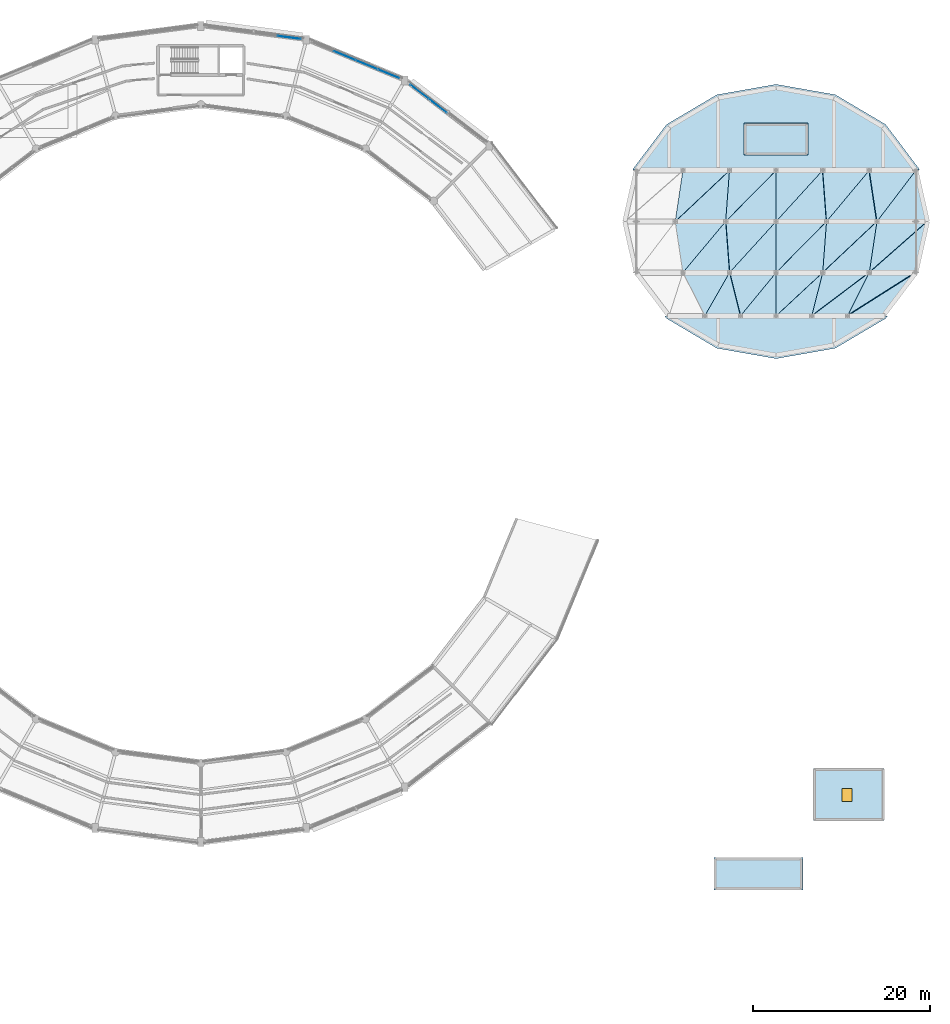
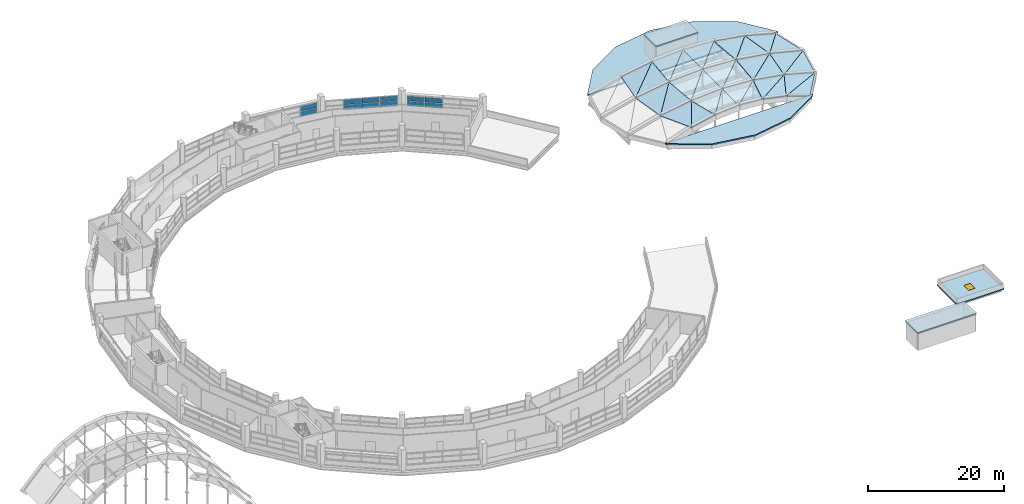
# One storey, part 71 of 88: 35 slabs, 12 plates, 1 door, 1 opening, 4 elements without a shape of their own.
"""IFC4 building model written with IfcOpenShell, lengths in metres."""

from ifc_helpers import new_model, si_unit, direction, frame, origin, origin_2d, place, context, subcontext, project, spatial, polyline, rectangle, outline, extrude, material, layer, layer_set, type_object, element, fill, aggregate, save


model = new_model("IFC4")

# Units and contexts
model_context = context("Model", 3, precision=1e-05, world=origin(), true_north=direction((0.0, 1.0)))
body_context = subcontext(model_context, "Body", "Model", "MODEL_VIEW")
ifc_project = project(units=[si_unit("LENGTHUNIT", "METRE"), si_unit("AREAUNIT", "SQUARE_METRE"), si_unit("VOLUMEUNIT", "CUBIC_METRE"), si_unit("PLANEANGLEUNIT", "RADIAN"), si_unit("MASSUNIT", "GRAM", prefix="KILO")], contexts=[model_context])

# Site, building, storey
site_placement = place(None, origin())
site = spatial("IfcSite", under=ifc_project, at=site_placement, CompositionType="ELEMENT")
building_placement = place(site_placement, origin())
building = spatial("IfcBuilding", under=site, at=building_placement, Name="Vespera Passage Community Centre", CompositionType="ELEMENT")
storey_placement = place(building_placement, frame((0.0, 0.0, 16.5)))
storey = spatial("IfcBuildingStorey", under=building, at=storey_placement, Name="L04", CompositionType="ELEMENT", Elevation=16.5)

# Curtain wall, plates
ifc_material_1 = material(Name="Anodized aluminium 6063-T6", Category="aluminium")
ifc_layer_1 = layer(ifc_material_1, 0.159912109375)
ifc_layer_set_1 = layer_set([ifc_layer_1], Name="Anodized aluminium 6063-T6")
curtain_wall_type_1 = type_object("IfcCurtainWallType", Name="CW-53E", PredefinedType="NOTDEFINED", material=ifc_layer_set_1)
curtain_wall_1_placement = place(storey_placement, origin())
curtain_wall_1 = element("IfcCurtainWall", 1, at=curtain_wall_1_placement, inside=storey, type_object=curtain_wall_type_1, Name="V4 L04 Outer Ribbon Curtain Wall 3", PredefinedType="NOTDEFINED")
ifc_material_2 = material(Name="Low-E insulated vision glass", Category="glass")
ifc_layer_2 = layer(ifc_material_2, 0.02001953125)
ifc_layer_set_2 = layer_set([ifc_layer_2], Name="Low-E insulated vision glass")
plate_type_1 = type_object("IfcPlateType", Name="PL-CWP-20E", PredefinedType="CURTAIN_PANEL", material=ifc_layer_set_2)
plate_1_placement = place(storey_placement, frame((102.66552734375, 104.18408203125, 0.919921875), z_axis=(0.0, 0.0, 1.0), x_axis=(0.793345363065, -0.608771824991, 0.0)))
plate_1 = element("IfcPlate", 2, at=plate_1_placement, type_object=plate_type_1, Name="CW-53E panel 1.1", PredefinedType="CURTAIN_PANEL", context=body_context, shape_type="SweptSolid", body=[
    extrude(rectangle(XDim=2.5673828125, YDim=0.02001953125, at=origin_2d()), origin(), (0.0, 0.0, 1.0), 0.852783203125),
])
plate_2_placement = place(storey_placement, frame((102.66552734375, 104.18408203125, 1.873046875), z_axis=(0.0, 0.0, 1.0), x_axis=(0.793345363065, -0.608771824991, 0.0)))
plate_2 = element("IfcPlate", 3, at=plate_2_placement, type_object=plate_type_1, Name="CW-53E panel 1.2", PredefinedType="CURTAIN_PANEL", context=body_context, shape_type="SweptSolid", body=[
    extrude(rectangle(XDim=2.5673828125, YDim=0.02001953125, at=origin_2d()), origin(), (0.0, 0.0, 1.0), 0.852783203125),
])
plate_3_placement = place(storey_placement, frame((104.766845703125, 102.57177734375, 0.919921875), z_axis=(0.0, 0.0, 1.0), x_axis=(0.793345363065, -0.608771824991, 0.0)))
plate_3 = element("IfcPlate", 4, at=plate_3_placement, type_object=plate_type_1, Name="CW-53E panel 2.1", PredefinedType="CURTAIN_PANEL", context=body_context, shape_type="SweptSolid", body=[
    extrude(rectangle(XDim=2.599853515625, YDim=0.02001953125, at=origin_2d()), origin(), (0.0, 0.0, 1.0), 0.852783203125),
])
plate_4_placement = place(storey_placement, frame((104.766845703125, 102.57177734375, 1.873046875), z_axis=(0.0, 0.0, 1.0), x_axis=(0.793345363065, -0.608771824991, 0.0)))
plate_4 = element("IfcPlate", 5, at=plate_4_placement, type_object=plate_type_1, Name="CW-53E panel 2.2", PredefinedType="CURTAIN_PANEL", context=body_context, shape_type="SweptSolid", body=[
    extrude(rectangle(XDim=2.599853515625, YDim=0.02001953125, at=origin_2d()), origin(), (0.0, 0.0, 1.0), 0.852783203125),
])
aggregate(curtain_wall_1, [plate_1, plate_2, plate_3, plate_4])

ifc_material_3 = material(Name="Anodized aluminium 6063-T6", Category="aluminium")
ifc_layer_3 = layer(ifc_material_3, 0.159912109375)
ifc_layer_set_3 = layer_set([ifc_layer_3], Name="Anodized aluminium 6063-T6")
curtain_wall_type_2 = type_object("IfcCurtainWallType", Name="CW-55E", PredefinedType="NOTDEFINED", material=ifc_layer_set_3)
curtain_wall_2_placement = place(storey_placement, origin())
curtain_wall_2 = element("IfcCurtainWall", 6, at=curtain_wall_2_placement, inside=storey, type_object=curtain_wall_type_2, Name="V4 L04 Outer Ribbon Curtain Wall 4", PredefinedType="NOTDEFINED")
ifc_material_4 = material(Name="Low-E insulated vision glass", Category="glass")
ifc_layer_4 = layer(ifc_material_4, 0.028076171875)
ifc_layer_set_4 = layer_set([ifc_layer_4], Name="Low-E insulated vision glass")
plate_type_2 = type_object("IfcPlateType", Name="PL-CWP-28E", PredefinedType="CURTAIN_PANEL", material=ifc_layer_set_4)
plate_5_placement = place(storey_placement, frame((94.244384765625, 108.24267578125, 0.8798828125), z_axis=(0.0, 0.0, 1.0), x_axis=(0.923879738007, -0.382682936255, 0.0)))
plate_5 = element("IfcPlate", 7, at=plate_5_placement, type_object=plate_type_2, Name="CW-55E panel 2.1", PredefinedType="CURTAIN_PANEL", context=body_context, shape_type="SweptSolid", body=[
    extrude(rectangle(XDim=2.623291015625, YDim=0.028076171875, at=origin_2d()), origin(), (0.0, 0.0, 1.0), 0.912841796875),
])
plate_6_placement = place(storey_placement, frame((94.244384765625, 108.24267578125, 1.8525390625), z_axis=(0.0, 0.0, 1.0), x_axis=(0.923879738007, -0.382682936255, 0.0)))
plate_6 = element("IfcPlate", 8, at=plate_6_placement, type_object=plate_type_2, Name="CW-55E panel 2.2", PredefinedType="CURTAIN_PANEL", context=body_context, shape_type="SweptSolid", body=[
    extrude(rectangle(XDim=2.623291015625, YDim=0.028076171875, at=origin_2d()), origin(), (0.0, 0.0, 1.0), 0.912841796875),
])
plate_7_placement = place(storey_placement, frame((96.7373046875, 107.210205078125, 0.8798828125), z_axis=(0.0, 0.0, 1.0), x_axis=(0.923879738007, -0.382682936255, 0.0)))
plate_7 = element("IfcPlate", 9, at=plate_7_placement, type_object=plate_type_2, Name="CW-55E panel 3.1", PredefinedType="CURTAIN_PANEL", context=body_context, shape_type="SweptSolid", body=[
    extrude(rectangle(XDim=2.623291015625, YDim=0.028076171875, at=origin_2d()), origin(), (0.0, 0.0, 1.0), 0.912841796875),
])
plate_8_placement = place(storey_placement, frame((96.7373046875, 107.210205078125, 1.8525390625), z_axis=(0.0, 0.0, 1.0), x_axis=(0.923879738007, -0.382682936255, 0.0)))
plate_8 = element("IfcPlate", 10, at=plate_8_placement, type_object=plate_type_2, Name="CW-55E panel 3.2", PredefinedType="CURTAIN_PANEL", context=body_context, shape_type="SweptSolid", body=[
    extrude(rectangle(XDim=2.623291015625, YDim=0.028076171875, at=origin_2d()), origin(), (0.0, 0.0, 1.0), 0.912841796875),
])
plate_9_placement = place(storey_placement, frame((99.212646484375, 106.184814453125, 0.8798828125), z_axis=(0.0, 0.0, 1.0), x_axis=(0.923879738007, -0.382682936255, 0.0)))
plate_9 = element("IfcPlate", 11, at=plate_9_placement, type_object=plate_type_2, Name="CW-55E panel 4.1", PredefinedType="CURTAIN_PANEL", context=body_context, shape_type="SweptSolid", body=[
    extrude(rectangle(XDim=2.585693359375, YDim=0.028076171875, at=origin_2d()), origin(), (0.0, 0.0, 1.0), 0.912841796875),
])
plate_10_placement = place(storey_placement, frame((99.212646484375, 106.184814453125, 1.8525390625), z_axis=(0.0, 0.0, 1.0), x_axis=(0.923879738007, -0.382682936255, 0.0)))
plate_10 = element("IfcPlate", 12, at=plate_10_placement, type_object=plate_type_2, Name="CW-55E panel 4.2", PredefinedType="CURTAIN_PANEL", context=body_context, shape_type="SweptSolid", body=[
    extrude(rectangle(XDim=2.585693359375, YDim=0.028076171875, at=origin_2d()), origin(), (0.0, 0.0, 1.0), 0.912841796875),
])
aggregate(curtain_wall_2, [plate_5, plate_6, plate_7, plate_8, plate_9, plate_10])

ifc_material_5 = material(Name="Anodized aluminium 6063-T6", Category="aluminium")
ifc_layer_5 = layer(ifc_material_5, 0.159912109375)
ifc_layer_set_5 = layer_set([ifc_layer_5], Name="Anodized aluminium 6063-T6")
curtain_wall_type_3 = type_object("IfcCurtainWallType", Name="CW-57E", PredefinedType="NOTDEFINED", material=ifc_layer_set_5)
curtain_wall_3_placement = place(storey_placement, origin())
curtain_wall_3 = element("IfcCurtainWall", 13, at=curtain_wall_3_placement, inside=storey, type_object=curtain_wall_type_3, Name="V4 L04 Outer Ribbon Curtain Wall 5", PredefinedType="NOTDEFINED")
ifc_material_6 = material(Name="Acoustic triple-glazed vision glass", Category="glass")
ifc_layer_6 = layer(ifc_material_6, 0.035888671875)
ifc_layer_set_6 = layer_set([ifc_layer_6], Name="Acoustic triple-glazed vision glass")
plate_type_3 = type_object("IfcPlateType", Name="PL-CWP-36E", PredefinedType="CURTAIN_PANEL", material=ifc_layer_set_6)
plate_11_placement = place(storey_placement, frame((87.98046875, 110.2861328125, 0.919921875), z_axis=(0.0, 0.0, 1.0), x_axis=(0.991444252276, -0.130530818696, 0.0)))
plate_11 = element("IfcPlate", 14, at=plate_11_placement, type_object=plate_type_3, Name="CW-57E panel 4.1", PredefinedType="CURTAIN_PANEL", context=body_context, shape_type="SweptSolid", body=[
    extrude(rectangle(XDim=2.599609375, YDim=0.035888671875, at=origin_2d()), origin(), (0.0, 0.0, 1.0), 0.852783203125),
])
plate_12_placement = place(storey_placement, frame((87.98046875, 110.2861328125, 1.873046875), z_axis=(0.0, 0.0, 1.0), x_axis=(0.991444252276, -0.130530818696, 0.0)))
plate_12 = element("IfcPlate", 15, at=plate_12_placement, type_object=plate_type_3, Name="CW-57E panel 4.2", PredefinedType="CURTAIN_PANEL", context=body_context, shape_type="SweptSolid", body=[
    extrude(rectangle(XDim=2.599609375, YDim=0.035888671875, at=origin_2d()), origin(), (0.0, 0.0, 1.0), 0.852783203125),
])
aggregate(curtain_wall_3, [plate_11, plate_12])

# Roof, slabs
ifc_material_7 = material(Name="Concrete f'c 35 MPa", Category="concrete")
roof_type = type_object("IfcRoofType", Name="RF-FLAT-V2", PredefinedType="FLAT_ROOF", material=ifc_material_7)
roof_placement = place(storey_placement, origin())
roof = element("IfcRoof", 16, at=roof_placement, inside=storey, type_object=roof_type, Name="Sports Hall Cambered Acoustic Roof V2", PredefinedType="BARREL_ROOF")
ifc_material_8 = material(Name="Concrete f'c 35 MPa", Category="concrete")
ifc_layer_7 = layer(ifc_material_8, 0.219970703125)
ifc_layer_set_7 = layer_set([ifc_layer_7], Name="Concrete f'c 35 MPa")
slab_type_1 = type_object("IfcSlabType", Name="SL-ROOF-220E", PredefinedType="ROOF", material=ifc_layer_set_7)
slab_1_placement = place(storey_placement, frame((0.0, 0.0, -0.219970703125)))
slab_1 = element("IfcSlab", 17, at=slab_1_placement, inside=storey, type_object=slab_type_1, Name="V2 L04 S Eave Roof Slab", PredefinedType="ROOF", context=body_context, shape_type="SweptSolid", body=[
    extrude(outline(polyline([(155.37451171875, 78.539794921875), (149.697021484375, 75.179931640625), (143.0, 74.0), (136.302978515625, 75.179931640625), (130.62548828125, 78.539794921875), (130.42724609375, 78.802734375), (155.57275390625, 78.802734375), (155.37451171875, 78.539794921875)])), origin(), (0.0, 0.0, 1.0), 0.219970703125),
])
slab_2_placement = place(storey_placement, frame((0.0, 0.0, -0.219970703125)))
slab_2 = element("IfcSlab", 18, at=slab_2_placement, inside=storey, type_object=slab_type_1, Name="V2 L04 N Eave Roof Slab", PredefinedType="ROOF", context=body_context, shape_type="SweptSolid", body=[
    extrude(outline(polyline([(126.83203125, 95.431640625), (130.62548828125, 100.460205078125), (136.302978515625, 103.820068359375), (143.0, 105.0), (149.697021484375, 103.820068359375), (155.37451171875, 100.460205078125), (159.16796875, 95.431640625), (159.19775390625, 95.298583984375), (126.80224609375, 95.298583984375), (126.83203125, 95.431640625)])), origin(), (0.0, 0.0, 1.0), 0.219970703125),
])

# Slab, opening, door
slab_3_placement = place(storey_placement, frame((0.0, 0.0, -0.449951171875)))
slab_3 = element("IfcSlab", 19, at=slab_3_placement, inside=storey, type_object=slab_type_1, Name="Roof Garden Conservatory Roof Slab", PredefinedType="ROOF", context=body_context, shape_type="SweptSolid", body=[
    extrude(outline(polyline([(147.199951171875, 21.800048828125), (155.199951171875, 21.800048828125), (155.199951171875, 27.699951171875), (147.199951171875, 27.699951171875), (147.199951171875, 21.800048828125)])), origin(), (0.0, 0.0, 1.0), 0.219970703125),
])
opening_placement = place(slab_3_placement, frame((151.0, 24.699951171875, 0.0)))
opening = element("IfcOpeningElement", 20, at=opening_placement, cuts=slab_3, Name="Opening DT-HT02", PredefinedType="OPENING", context=body_context, shape_type="SweptSolid", body=[
    extrude(rectangle(XDim=1.10009765625, YDim=1.449951171875, at=origin_2d()), frame((0.0, 0.0, -0.010009765625)), (0.0, 0.0, 1.0), 0.239990234375),
])
ifc_material_9 = material(Name="Anodized aluminium 6063-T6", Category="aluminium")
door_type = type_object("IfcDoorType", Name="DT-HT02", OperationType="NOTDEFINED", PredefinedType="TRAPDOOR", material=ifc_material_9)
door_placement = place(opening_placement, frame((0.0, 0.0, 0.169921875)))
door = element("IfcDoor", 21, at=door_placement, inside=storey, type_object=door_type, Name="Roof Access Hatch HT-047", OperationType="SINGLE_SWING_LEFT", OverallHeight=1.449951171875, OverallWidth=1.10009765625, PredefinedType="TRAPDOOR", context=body_context, shape_type="SweptSolid", body=[
    extrude(rectangle(XDim=1.10009765625, YDim=1.449951171875, at=origin_2d()), origin(), (0.0, 0.0, 1.0), 0.050048828125),
])
fill(opening, door)

# Slabs
slab_4_placement = place(storey_placement, frame((0.0, 0.0, 3.050048828125)))
element("IfcSlab", 22, at=slab_4_placement, inside=storey, type_object=slab_type_1, Name="Core C6 Overrun Roof Cap Slab", PredefinedType="ROOF", context=body_context, shape_type="SweptSolid", body=[
    extrude(outline(polyline([(139.375, 97.0), (146.625, 97.0), (146.625, 100.60009765625), (139.375, 100.60009765625), (139.375, 97.0)])), origin(), (0.0, 0.0, 1.0), 0.219970703125),
])
slab_5_placement = place(storey_placement, frame((0.0, 0.0, 3.050048828125)))
element("IfcSlab", 23, at=slab_5_placement, inside=storey, type_object=slab_type_1, Name="Core C7 Overrun Roof Cap Slab", PredefinedType="ROOF", context=body_context, shape_type="SweptSolid", body=[
    extrude(outline(polyline([(146.034912109375, 17.639892578125), (135.965087890625, 17.639892578125), (135.965087890625, 13.9599609375), (146.034912109375, 13.9599609375), (146.034912109375, 17.639892578125)])), origin(), (0.0, 0.0, 1.0), 0.219970703125),
])

# Slab
ifc_material_10 = material(Name="Concrete f'c 35 MPa", Category="concrete")
ifc_layer_8 = layer(ifc_material_10, 0.199951171875)
ifc_layer_set_8 = layer_set([ifc_layer_8], Name="Concrete f'c 35 MPa")
slab_type_2 = type_object("IfcSlabType", Name="SL-SROOF-200E", PredefinedType="ROOF", material=ifc_layer_set_8)
slab_6_placement = place(storey_placement, frame((134.93896484375, 78.82275390625, 1.244384765625), z_axis=(-0.209933755501, -0.052951643987, 0.976280667483), x_axis=(0.977652237703, 0.0, 0.210228690038)))
slab_6 = element("IfcSlab", 24, at=slab_6_placement, inside=storey, type_object=slab_type_2, Name="V2 L04 Sports Hall Arched Roof Facet 1.2A", PredefinedType="ROOF", context=body_context, shape_type="SweptSolid", body=[
    extrude(outline(polyline([(0.0, 0.0), (4.122649570768352, 6.938893903907228e-18), (2.914666666712581, 4.905563765897493), (0.0, 0.0)])), origin(), (0.0, 0.0, -1.0), 0.199951171875),
])

slab_7_placement = place(storey_placement, frame((134.93896484375, 78.82275390625, 1.244384765625), z_axis=(-0.16185353507, -0.081648715773, 0.983431197592), x_axis=(0.489811026342, 0.858495653699, 0.151889338183)))
slab_7 = element("IfcSlab", 25, at=slab_7_placement, inside=storey, type_object=slab_type_2, Name="V2 L04 Sports Hall Arched Roof Facet 1.2B", PredefinedType="ROOF", context=body_context, shape_type="SweptSolid", body=[
    extrude(outline(polyline([(0.0, 0.0), (5.70612282021092, 4.3021142204224816e-16), (2.9950800983503165, 4.597103869501554), (0.0, 0.0)])), origin(), (0.0, 0.0, -1.0), 0.199951171875),
])

slab_8_placement = place(storey_placement, frame((138.969482421875, 78.82275390625, 2.111083984375), z_axis=(-0.071474612755, 0.0, 0.997442419256), x_axis=(0.997442419256, 0.0, 0.071474612755)))
slab_8 = element("IfcSlab", 26, at=slab_8_placement, inside=storey, type_object=slab_type_2, Name="V2 L04 Sports Hall Arched Roof Facet 1.3A", PredefinedType="ROOF", context=body_context, shape_type="SweptSolid", body=[
    extrude(outline(polyline([(0.0, 0.0), (4.040852384372223, 0.0), (4.040852384372223, 4.898681640625), (0.0, 0.0)])), origin(), (0.0, 0.0, -1.0), 0.199951171875),
])

slab_9_placement = place(storey_placement, frame((138.969482421875, 78.82275390625, 2.111083984375), z_axis=(-0.054757169188, -0.013811414566, 0.998404175297), x_axis=(0.634703017702, 0.771416563704, 0.045481474949)))
slab_9 = element("IfcSlab", 27, at=slab_9_placement, inside=storey, type_object=slab_type_2, Name="V2 L04 Sports Hall Arched Roof Facet 1.3B", PredefinedType="ROOF", context=body_context, shape_type="SweptSolid", body=[
    extrude(outline(polyline([(0.0, 0.0), (6.350241712603005, -1.0581813203458523e-16), (2.9946878364572096, 4.068860199116289), (0.0, 0.0)])), origin(), (0.0, 0.0, -1.0), 0.199951171875),
])

slab_10_placement = place(storey_placement, frame((143.0, 78.82275390625, 2.39990234375), z_axis=(0.071463000571, -0.01802513062, 0.997280368911), x_axis=(0.997442419256, 0.0, -0.071474612755)))
slab_10 = element("IfcSlab", 28, at=slab_10_placement, inside=storey, type_object=slab_type_2, Name="V2 L04 Sports Hall Arched Roof Facet 1.4A", PredefinedType="ROOF", context=body_context, shape_type="SweptSolid", body=[
    extrude(outline(polyline([(0.0, 0.0), (4.040852384372223, 8.673617379884035e-19), (5.273287951719662, 4.89947763849519), (0.0, 0.0)])), origin(), (0.0, 0.0, -1.0), 0.199951171875),
])

slab_11_placement = place(storey_placement, frame((143.0, 78.82275390625, 2.39990234375), z_axis=(0.054762392542, 0.0, 0.998499414303), x_axis=(0.731599071312, 0.680553331751, -0.040124325515)))
slab_11 = element("IfcSlab", 29, at=slab_11_placement, inside=storey, type_object=slab_type_2, Name="V2 L04 Sports Hall Arched Roof Facet 1.4B", PredefinedType="ROOF", context=body_context, shape_type="SweptSolid", body=[
    extrude(outline(polyline([(0.0, 0.0), (7.1980863395673556, -4.839878497975292e-16), (3.333814111715532, 3.589256926541039), (0.0, 0.0)])), origin(), (0.0, 0.0, -1.0), 0.199951171875),
])

slab_12_placement = place(storey_placement, frame((147.030517578125, 78.82275390625, 2.111083984375), z_axis=(0.209056344462, -0.105460668759, 0.972200335417), x_axis=(0.977652237703, 0.0, -0.210228690038)))
slab_12 = element("IfcSlab", 30, at=slab_12_placement, inside=storey, type_object=slab_type_2, Name="V2 L04 Sports Hall Arched Roof Facet 1.5A", PredefinedType="ROOF", context=body_context, shape_type="SweptSolid", body=[
    extrude(outline(polyline([(0.0, 0.0), (4.122649570768352, 0.0), (6.538615378879894, 4.926152453645363), (0.0, 0.0)])), origin(), (0.0, 0.0, -1.0), 0.199951171875),
])

slab_13_placement = place(storey_placement, frame((147.030517578125, 78.82275390625, 2.111083984375), z_axis=(0.162259683224, -0.040926800737, 0.985898976661), x_axis=(0.794188867527, 0.598377816339, -0.105867991428)))
slab_13 = element("IfcSlab", 31, at=slab_13_placement, inside=storey, type_object=slab_type_2, Name="V2 L04 Sports Hall Arched Roof Facet 1.5B", PredefinedType="ROOF", context=body_context, shape_type="SweptSolid", body=[
    extrude(outline(polyline([(0.0, 0.0), (8.18660302381158, -4.718447854656915e-16), (3.9125587752447744, 3.196194985921935), (0.0, 0.0)])), origin(), (0.0, 0.0, -1.0), 0.199951171875),
])

slab_14_placement = place(storey_placement, frame((151.06103515625, 78.82275390625, 1.244384765625), z_axis=(0.32686283753, -0.247334087327, 0.912132958887), x_axis=(0.941381435072, 0.0, -0.337344028705)))
slab_14 = element("IfcSlab", 32, at=slab_14_placement, inside=storey, type_object=slab_type_2, Name="V2 L04 Sports Hall Arched Roof Facet 1.6A", PredefinedType="ROOF", context=body_context, shape_type="SweptSolid", body=[
    extrude(outline(polyline([(0.0, 0.0), (4.2814925257354615, -5.551115123125783e-17), (7.770993094263653, 5.055762877416872), (0.0, 0.0)])), origin(), (0.0, 0.0, -1.0), 0.199951171875),
])

slab_15_placement = place(storey_placement, frame((151.06103515625, 78.82275390625, 1.244384765625), z_axis=(0.262178174801, -0.132258534031, 0.955913324959), x_axis=(0.8345821724, 0.528394903736, -0.155792885647)))
slab_15 = element("IfcSlab", 33, at=slab_15_placement, inside=storey, type_object=slab_type_2, Name="V2 L04 Sports Hall Arched Roof Facet 1.6B", PredefinedType="ROOF", context=body_context, shape_type="SweptSolid", body=[
    extrude(outline(polyline([(0.0, 0.0), (9.270872232091213, -5.551115123125783e-17), (4.650850706175504, 2.910920213847697), (0.0, 0.0)])), origin(), (0.0, 0.0, -1.0), 0.199951171875),
])

slab_16_placement = place(storey_placement, frame((132.4677734375, 83.721435546875, 1.244384765625), z_axis=(-0.162383678206, -0.012191296471, 0.986652377154), x_axis=(0.986725707269, 0.0, 0.162395746908)))
slab_16 = element("IfcSlab", 34, at=slab_16_placement, inside=storey, type_object=slab_type_2, Name="V2 L04 Sports Hall Arched Roof Facet 2.2A", PredefinedType="ROOF", context=body_context, shape_type="SweptSolid", body=[
    extrude(outline(polyline([(0.0, 0.0), (5.336957618975394, 1.734723475976807e-18), (4.908878619508201, 5.778993928399384), (0.0, 0.0)])), origin(), (0.0, 0.0, -1.0), 0.199951171875),
])

slab_17_placement = place(storey_placement, frame((132.4677734375, 83.721435546875, 1.244384765625), z_axis=(-0.15028765179, -0.02256632365, 0.988384734178), x_axis=(0.637295633188, 0.762095202441, 0.114303011055)))
slab_17 = element("IfcSlab", 35, at=slab_17_placement, inside=storey, type_object=slab_type_2, Name="V2 L04 Sports Hall Arched Roof Facet 2.2B", PredefinedType="ROOF", context=body_context, shape_type="SweptSolid", body=[
    extrude(outline(polyline([(0.0, 0.0), (7.5824705819107345, -2.636779683484747e-16), (3.8508502603100365, 4.394954001233432), (0.0, 0.0)])), origin(), (0.0, 0.0, -1.0), 0.199951171875),
])

slab_18_placement = place(storey_placement, frame((137.73388671875, 83.721435546875, 2.111083984375), z_axis=(-0.054762392542, 0.0, 0.998499414303), x_axis=(0.998499414303, 0.0, 0.054762392542)))
slab_18 = element("IfcSlab", 36, at=slab_18_placement, inside=storey, type_object=slab_type_2, Name="V2 L04 Sports Hall Arched Roof Facet 2.3A", PredefinedType="ROOF", context=body_context, shape_type="SweptSolid", body=[
    extrude(outline(polyline([(0.0, 0.0), (5.274027411349861, 0.0), (5.274027411349861, 5.778564453125), (0.0, 0.0)])), origin(), (0.0, 0.0, -1.0), 0.199951171875),
])

slab_19_placement = place(storey_placement, frame((137.73388671875, 83.721435546875, 2.111083984375), z_axis=(-0.050605033867, -0.003799279445, 0.998711517918), x_axis=(0.673114644317, 0.738616157457, 0.036916765147)))
slab_19 = element("IfcSlab", 37, at=slab_19_placement, inside=storey, type_object=slab_type_2, Name="V2 L04 Sports Hall Arched Roof Facet 2.3B", PredefinedType="ROOF", context=body_context, shape_type="SweptSolid", body=[
    extrude(outline(polyline([(0.0, 0.0), (7.8235012797717065, 1.0755285551056204e-15), (3.9761184345454277, 4.21550763831947), (0.0, 0.0)])), origin(), (0.0, 0.0, -1.0), 0.199951171875),
])

slab_20_placement = place(storey_placement, frame((143.0, 83.721435546875, 2.39990234375), z_axis=(0.054761929706, -0.004111367151, 0.99849097528), x_axis=(0.998499414303, 0.0, -0.054762392542)))
slab_20 = element("IfcSlab", 38, at=slab_20_placement, inside=storey, type_object=slab_type_2, Name="V2 L04 Sports Hall Arched Roof Facet 2.4A", PredefinedType="ROOF", context=body_context, shape_type="SweptSolid", body=[
    extrude(outline(polyline([(0.0, 0.0), (5.274027411349861, 0.0), (5.707214291041306, 5.7786132922635485), (0.0, 0.0)])), origin(), (0.0, 0.0, -1.0), 0.199951171875),
])

slab_21_placement = place(storey_placement, frame((143.0, 83.721435546875, 2.39990234375), z_axis=(0.050605399101, 0.0, 0.998718725959), x_axis=(0.701803370507, 0.711482587765, -0.035560602532)))
slab_21 = element("IfcSlab", 39, at=slab_21_placement, inside=storey, type_object=slab_type_2, Name="V2 L04 Sports Hall Arched Roof Facet 2.4B", PredefinedType="ROOF", context=body_context, shape_type="SweptSolid", body=[
    extrude(outline(polyline([(0.0, 0.0), (8.121863489704262, -3.7990444123892075e-16), (4.111347990673471, 4.060618775322925), (0.0, 0.0)])), origin(), (0.0, 0.0, -1.0), 0.199951171875),
])

slab_22_placement = place(storey_placement, frame((148.26611328125, 83.721435546875, 2.111083984375), z_axis=(0.162347488236, -0.024377158866, 0.986432484861), x_axis=(0.986725707269, 0.0, -0.162395746908)))
slab_22 = element("IfcSlab", 40, at=slab_22_placement, inside=storey, type_object=slab_type_2, Name="V2 L04 Sports Hall Arched Roof Facet 2.5A", PredefinedType="ROOF", context=body_context, shape_type="SweptSolid", body=[
    extrude(outline(polyline([(0.0, 0.0), (5.336957618975394, 3.469446951953614e-18), (6.193115617909779, 5.780282162762326), (0.0, 0.0)])), origin(), (0.0, 0.0, -1.0), 0.199951171875),
])

slab_23_placement = place(storey_placement, frame((148.26611328125, 83.721435546875, 2.111083984375), z_axis=(0.150316359636, -0.011285317127, 0.988573534768), x_axis=(0.724049784698, 0.682118068541, -0.102307623614)))
slab_23 = element("IfcSlab", 41, at=slab_23_placement, inside=storey, type_object=slab_type_2, Name="V2 L04 Sports Hall Arched Roof Facet 2.5B", PredefinedType="ROOF", context=body_context, shape_type="SweptSolid", body=[
    extrude(outline(polyline([(0.0, 0.0), (8.471501811246123, 4.0245584642661925e-16), (4.255783455003511, 3.932979740397877), (0.0, 0.0)])), origin(), (0.0, 0.0, -1.0), 0.199951171875),
])

slab_24_placement = place(storey_placement, frame((153.5322265625, 83.721435546875, 1.244384765625), z_axis=(0.264033458264, -0.059479758311, 0.962677771255), x_axis=(0.964385203819, 0.0, -0.264501755484)))
slab_24 = element("IfcSlab", 42, at=slab_24_placement, inside=storey, type_object=slab_type_2, Name="V2 L04 Sports Hall Arched Roof Facet 2.6A", PredefinedType="ROOF", context=body_context, shape_type="SweptSolid", body=[
    extrude(outline(polyline([(0.0, 0.0), (5.460591121051973, 0.0), (6.715987094383255, 5.7888134787249985), (0.0, 0.0)])), origin(), (0.0, 0.0, -1.0), 0.199951171875),
])

slab_25_placement = place(storey_placement, frame((153.5322265625, 83.721435546875, 1.244384765625), z_axis=(0.245454515306, -0.036856028873, 0.968707238567), x_axis=(0.740751162151, 0.65172995528, -0.162898069857)))
slab_25 = element("IfcSlab", 43, at=slab_25_placement, inside=storey, type_object=slab_type_2, Name="V2 L04 Sports Hall Arched Roof Facet 2.6B", PredefinedType="ROOF", context=body_context, shape_type="SweptSolid", body=[
    extrude(outline(polyline([(0.0, 0.0), (8.86650123461282, 0.0), (4.408795395949173, 3.834995639755671), (0.0, 0.0)])), origin(), (0.0, 0.0, -1.0), 0.199951171875),
])

slab_26_placement = place(storey_placement, frame((131.60009765625, 89.5, 1.244384765625), z_axis=(-0.150316359636, 0.011285317127, 0.988573534768), x_axis=(0.988636492345, 0.0, 0.150325932575)))
slab_26 = element("IfcSlab", 44, at=slab_26_placement, inside=storey, type_object=slab_type_2, Name="V2 L04 Sports Hall Arched Roof Facet 3.2A", PredefinedType="ROOF", context=body_context, shape_type="SweptSolid", body=[
    extrude(outline(polyline([(0.0, 0.0), (5.765467101418674, -1.734723475976807e-18), (6.194375071852374, 5.77893246258859), (0.0, 0.0)])), origin(), (0.0, 0.0, -1.0), 0.199951171875),
])

slab_27_placement = place(storey_placement, frame((131.60009765625, 89.5, 1.244384765625), z_axis=(-0.162347488236, 0.024377158866, 0.986432484861), x_axis=(0.724049784698, 0.682118068541, 0.102307623614)))
slab_27 = element("IfcSlab", 45, at=slab_27_placement, inside=storey, type_object=slab_type_2, Name="V2 L04 Sports Hall Arched Roof Facet 3.2B", PredefinedType="ROOF", context=body_context, shape_type="SweptSolid", body=[
    extrude(outline(polyline([(0.0, 0.0), (8.471501811246123, 3.3306690738754696e-16), (4.569903686304302, 3.6415173620607644), (0.0, 0.0)])), origin(), (0.0, 0.0, -1.0), 0.199951171875),
])

slab_28_placement = place(storey_placement, frame((137.300048828125, 89.5, 2.111083984375), z_axis=(-0.050605399101, 0.0, 0.998718725959), x_axis=(0.998718725959, 0.0, 0.050605399101)))
slab_28 = element("IfcSlab", 46, at=slab_28_placement, inside=storey, type_object=slab_type_2, Name="V2 L04 Sports Hall Arched Roof Facet 3.3A", PredefinedType="ROOF", context=body_context, shape_type="SweptSolid", body=[
    extrude(outline(polyline([(0.0, 0.0), (5.707263740749262, 0.0), (5.707263740749262, 5.778564453125), (0.0, 0.0)])), origin(), (0.0, 0.0, -1.0), 0.199951171875),
])

slab_29_placement = place(storey_placement, frame((137.300048828125, 89.5, 2.111083984375), z_axis=(-0.054761929706, 0.004111367151, 0.99849097528), x_axis=(0.701803370507, 0.711482587765, 0.035560602532)))
slab_29 = element("IfcSlab", 47, at=slab_29_placement, inside=storey, type_object=slab_type_2, Name="V2 L04 Sports Hall Arched Roof Facet 3.3B", PredefinedType="ROOF", context=body_context, shape_type="SweptSolid", body=[
    extrude(outline(polyline([(0.0, 0.0), (8.121863489704262, -4.0939474033052647e-16), (4.415816884567893, 3.7524103848362453), (0.0, 0.0)])), origin(), (0.0, 0.0, -1.0), 0.199951171875),
])

slab_30_placement = place(storey_placement, frame((143.0, 89.5, 2.39990234375), z_axis=(0.050605033867, 0.003799279445, 0.998711517918), x_axis=(0.998718725959, 0.0, -0.050605399101)))
slab_30 = element("IfcSlab", 48, at=slab_30_placement, inside=storey, type_object=slab_type_2, Name="V2 L04 Sports Hall Arched Roof Facet 3.4A", PredefinedType="ROOF", context=body_context, shape_type="SweptSolid", body=[
    extrude(outline(polyline([(0.0, 0.0), (5.707263740749262, 0.0), (5.273981715351377, 5.778606158991014), (0.0, 0.0)])), origin(), (0.0, 0.0, -1.0), 0.199951171875),
])

slab_31_placement = place(storey_placement, frame((143.0, 89.5, 2.39990234375), z_axis=(0.054762392542, 0.0, 0.998499414303), x_axis=(0.673114644317, 0.738616157457, -0.036916765147)))
slab_31 = element("IfcSlab", 49, at=slab_31_placement, inside=storey, type_object=slab_type_2, Name="V2 L04 Sports Hall Arched Roof Facet 3.4B", PredefinedType="ROOF", context=body_context, shape_type="SweptSolid", body=[
    extrude(outline(polyline([(0.0, 0.0), (7.8235012797717065, 1.8388068845354155e-16), (4.268141071984871, 3.8954818608941895), (0.0, 0.0)])), origin(), (0.0, 0.0, -1.0), 0.199951171875),
])

slab_32_placement = place(storey_placement, frame((148.699951171875, 89.5, 2.111083984375), z_axis=(0.15028765179, 0.02256632365, 0.988384734178), x_axis=(0.988636492345, 0.0, -0.150325932575)))
slab_32 = element("IfcSlab", 50, at=slab_32_placement, inside=storey, type_object=slab_type_2, Name="V2 L04 Sports Hall Arched Roof Facet 3.5A", PredefinedType="ROOF", context=body_context, shape_type="SweptSolid", body=[
    extrude(outline(polyline([(0.0, 0.0), (5.7654671014186745, 0.0), (4.907651160551276, 5.780036350394469), (0.0, 0.0)])), origin(), (0.0, 0.0, -1.0), 0.199951171875),
])

slab_33_placement = place(storey_placement, frame((148.699951171875, 89.5, 2.111083984375), z_axis=(0.162383678206, 0.012191296471, 0.986652377154), x_axis=(0.637295633188, 0.762095202441, -0.114303011055)))
slab_33 = element("IfcSlab", 51, at=slab_33_placement, inside=storey, type_object=slab_type_2, Name="V2 L04 Sports Hall Arched Roof Facet 3.5B", PredefinedType="ROOF", context=body_context, shape_type="SweptSolid", body=[
    extrude(outline(polyline([(0.0, 0.0), (7.5824705819107345, 6.245004513516506e-16), (4.12733325351666, 4.0675720852466), (0.0, 0.0)])), origin(), (0.0, 0.0, -1.0), 0.199951171875),
])

slab_34_placement = place(storey_placement, frame((154.39990234375, 89.5, 1.244384765625), z_axis=(0.245246254126, 0.055247497866, 0.967885318009), x_axis=(0.969365839516, 0.0, -0.245621393977)))
slab_34 = element("IfcSlab", 52, at=slab_34_placement, inside=storey, type_object=slab_type_2, Name="V2 L04 Sports Hall Arched Roof Facet 3.6A", PredefinedType="ROOF", context=body_context, shape_type="SweptSolid", body=[
    extrude(outline(polyline([(0.0, 0.0), (5.880334420847252, 0.0), (4.61845486608655, 5.787403608752508), (0.0, 0.0)])), origin(), (0.0, 0.0, -1.0), 0.199951171875),
])

slab_35_placement = place(storey_placement, frame((154.39990234375, 89.5, 1.244384765625), z_axis=(0.264293394069, 0.039684765834, 0.963625508801), x_axis=(0.59403551267, 0.780429981649, -0.195066279582)))
slab_35 = element("IfcSlab", 53, at=slab_35_placement, inside=storey, type_object=slab_type_2, Name="V2 L04 Sports Hall Arched Roof Facet 3.6B", PredefinedType="ROOF", context=body_context, shape_type="SweptSolid", body=[
    extrude(outline(polyline([(0.0, 0.0), (7.404334263165061, 5.551115123125783e-17), (3.9943347225636625, 4.264968760074321), (0.0, 0.0)])), origin(), (0.0, 0.0, -1.0), 0.199951171875),
])

aggregate(roof, [slab_6, slab_7, slab_8, slab_9, slab_10, slab_11, slab_12, slab_13, slab_14, slab_15, slab_16, slab_17, slab_18, slab_19, slab_20, slab_21, slab_22, slab_23, slab_24, slab_25, slab_26, slab_27, slab_28, slab_29, slab_30, slab_31, slab_32, slab_33, slab_34, slab_35, slab_1, slab_2])

save(model, "model.ifc")
